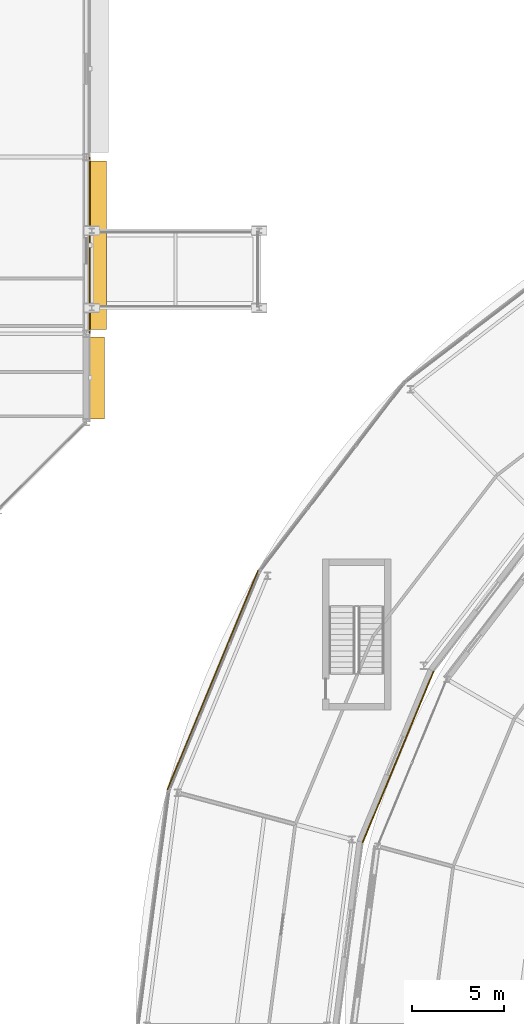
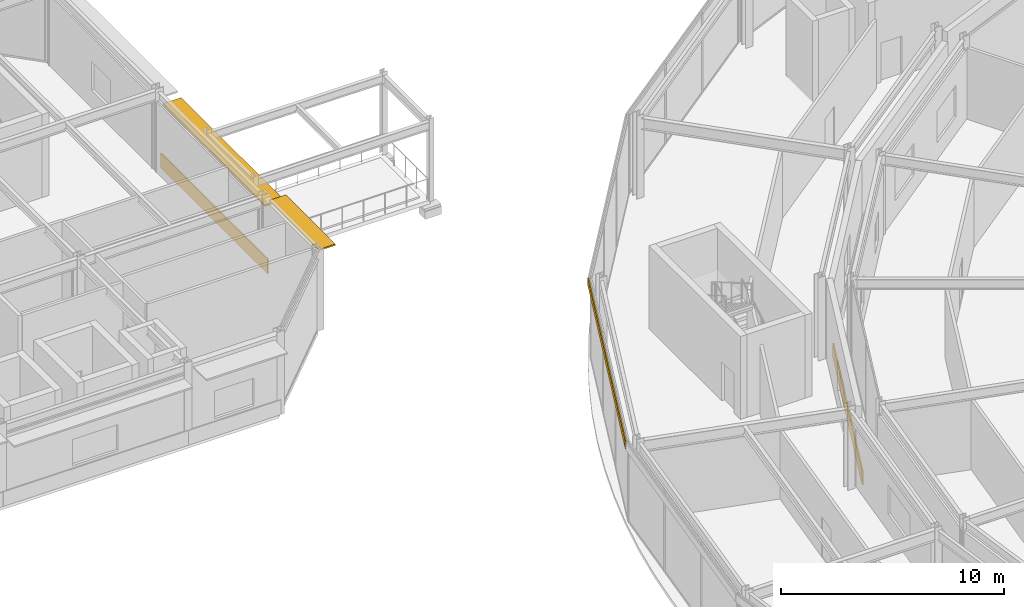
# One storey, part 143 of 157: 3 coverings, 2 shading devices.
"""IFC4 building model written with IfcOpenShell, lengths in metres."""

from ifc_helpers import new_model, si_unit, direction, frame, origin, origin_2d, place, context, subcontext, project, spatial, rectangle, extrude, material, layer, layer_set, type_object, element, save


model = new_model("IFC4")

# Units and contexts
model_context = context("Model", 3, precision=1e-05, world=origin(), true_north=direction((0.0, 1.0)))
body_context = subcontext(model_context, "Body", "Model", "MODEL_VIEW")
ifc_project = project(units=[si_unit("LENGTHUNIT", "METRE"), si_unit("AREAUNIT", "SQUARE_METRE"), si_unit("VOLUMEUNIT", "CUBIC_METRE"), si_unit("PLANEANGLEUNIT", "RADIAN"), si_unit("MASSUNIT", "GRAM", prefix="KILO")], contexts=[model_context])

# Site, building, storey
site_placement = place(None, origin())
site = spatial("IfcSite", under=ifc_project, at=site_placement, CompositionType="ELEMENT")
building_placement = place(site_placement, origin())
building = spatial("IfcBuilding", under=site, at=building_placement, Name="Almandine Court Research Institute", CompositionType="ELEMENT")
storey_placement = place(building_placement, frame((0.0, 0.0, 5.25)))
storey = spatial("IfcBuildingStorey", under=building, at=storey_placement, Name="L01", CompositionType="ELEMENT", Elevation=5.25)

# Coverings
ifc_material_1 = material(Name="Honed Andean Red-Buff Sandstone Cladding", Category="masonry")
ifc_layer_1 = layer(ifc_material_1, 0.06494140625)
ifc_layer_set_1 = layer_set([ifc_layer_1], Name="Honed Andean Red-Buff Sandstone Cladding")
covering_type_1 = type_object("IfcCoveringType", Name="Cov-CLAD-SAND", PredefinedType="CLADDING", material=ifc_layer_set_1)
covering_1_placement = place(storey_placement, frame((34.992919921875, 98.39990234375, 0.02001953125), z_axis=(0.0, 0.0, 1.0), x_axis=(0.0, -1.0, 0.0)))
element("IfcCovering", 1, at=covering_1_placement, inside=storey, type_object=covering_type_1, Name="L01 Facade Spandrel Cladding Band 53", PredefinedType="CLADDING", context=body_context, shape_type="SweptSolid", body=[
    extrude(rectangle(XDim=9.592041015625, YDim=0.06494140625, at=origin_2d()), origin(), (0.0, 0.0, 1.0), 0.800048828125),
])
covering_2_placement = place(storey_placement, frame((51.75, 70.60107421875, 0.02001953125), z_axis=(0.0, 0.0, 1.0), x_axis=(-0.382683432365, -0.923879532511, 0.0)))
element("IfcCovering", 2, at=covering_2_placement, inside=storey, type_object=covering_type_1, Name="L01 Facade Spandrel Cladding Band 323", PredefinedType="CLADDING", context=body_context, shape_type="SweptSolid", body=[
    extrude(rectangle(XDim=10.080078125, YDim=0.06494140625, at=origin_2d()), origin(), (0.0, 0.0, 1.0), 0.800048828125),
])
ifc_material_2 = material(Name="Extruded Cream-Ochre Seismic Terracotta Spandrel", Category="masonry")
ifc_layer_2 = layer(ifc_material_2, 0.054931640625)
ifc_layer_set_2 = layer_set([ifc_layer_2], Name="Extruded Cream-Ochre Seismic Terracotta Spandrel")
covering_type_2 = type_object("IfcCoveringType", Name="Cov-CLAD-TERR", PredefinedType="CLADDING", material=ifc_layer_set_2)
covering_3_placement = place(storey_placement, frame((41.676025390625, 74.77392578125, 3.97998046875), z_axis=(0.0, 0.0, 1.0), x_axis=(0.382683432365, 0.923879532511, 0.0)))
element("IfcCovering", 3, at=covering_3_placement, inside=storey, type_object=covering_type_2, Name="L01 Drum Stacked Terracotta Ring Band 10", PredefinedType="CLADDING", context=body_context, shape_type="SweptSolid", body=[
    extrude(rectangle(XDim=12.8779296875, YDim=0.054931640625, at=origin_2d()), origin(), (0.0, 0.0, 1.0), 0.419921875),
])

# Shading devices
ifc_material_3 = material(Name="Precast GFRC Chhajja Sunshade and Acoustic Louvre", Category="concrete")
ifc_layer_3 = layer(ifc_material_3, 0.080078125)
ifc_layer_set_3 = layer_set([ifc_layer_3], Name="Precast GFRC Chhajja Sunshade and Acoustic Louvre")
shading_device_type_1 = type_object("IfcShadingDeviceType", Name="Shd-SD-01", PredefinedType="AWNING", material=ifc_layer_set_3)
shading_device_1_placement = place(storey_placement, frame((35.427001953125, 98.39990234375, 3.58203125), z_axis=(0.0, 0.0, 1.0), x_axis=(0.0, -1.0, 0.0)))
element("IfcShadingDevice", 4, at=shading_device_1_placement, inside=storey, type_object=shading_device_type_1, Name="L01 Projecting Chhajja Sunshade 25", PredefinedType="AWNING", context=body_context, shape_type="SweptSolid", body=[
    extrude(rectangle(XDim=9.162109375, YDim=0.949951171875, at=origin_2d()), origin(), (0.0, 0.0, 1.0), 0.080078125),
])
ifc_layer_4 = layer(ifc_material_3, 0.080078125)
ifc_layer_set_4 = layer_set([ifc_layer_4], Name="Precast GFRC Chhajja Sunshade and Acoustic Louvre")
shading_device_type_2 = type_object("IfcShadingDeviceType", Name="Shd-SD-15", PredefinedType="AWNING", material=ifc_layer_set_4)
shading_device_2_placement = place(storey_placement, frame((35.376953125, 91.199951171875, 4.08984375), z_axis=(0.0, 0.0, 1.0), x_axis=(0.0, -1.0, 0.0)))
element("IfcShadingDevice", 5, at=shading_device_2_placement, inside=storey, type_object=shading_device_type_2, Name="L01 Projecting Chhajja Sunshade 24", PredefinedType="AWNING", context=body_context, shape_type="SweptSolid", body=[
    extrude(rectangle(XDim=4.44189453125, YDim=0.85009765625, at=origin_2d()), origin(), (0.0, 0.0, 1.0), 0.080078125),
])

save(model, "model.ifc")
